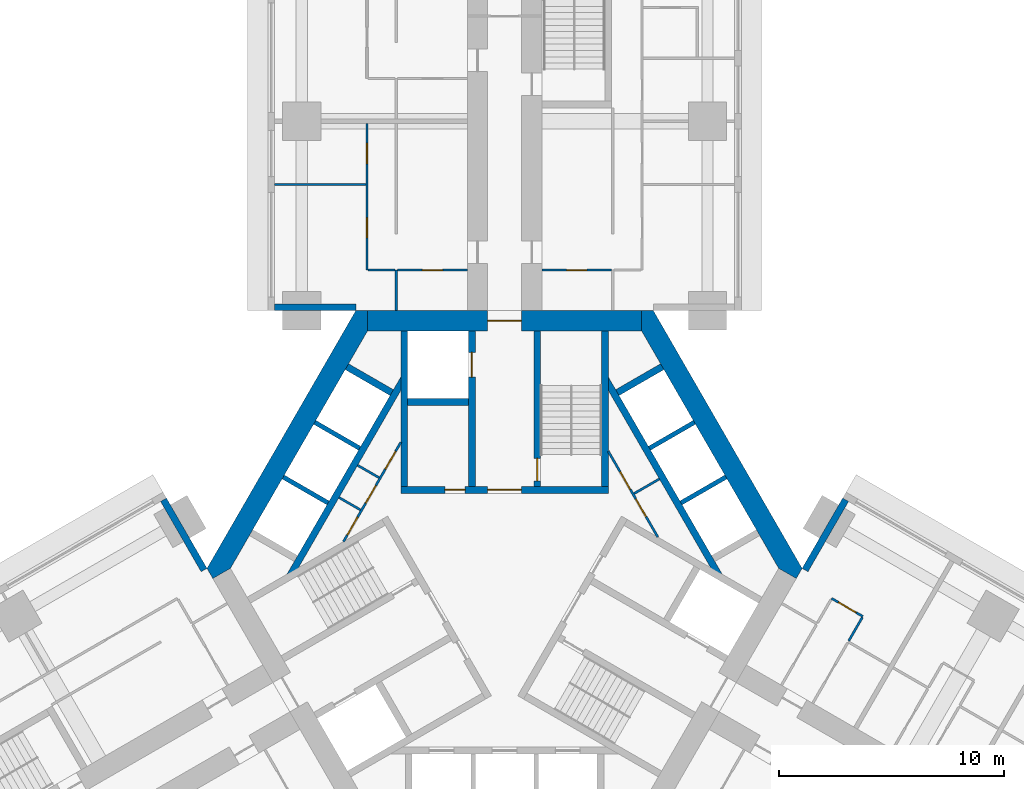
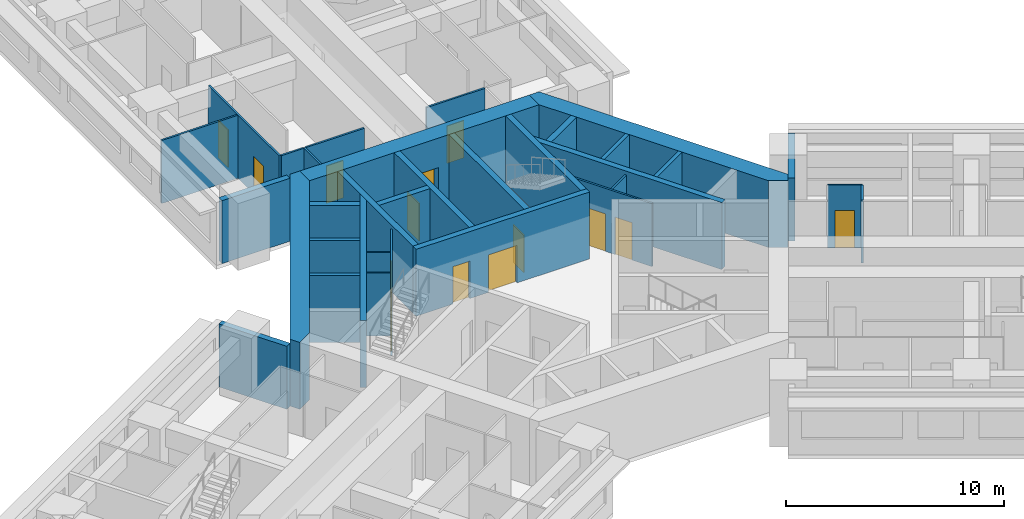
# One storey, part 8 of 16: 33 walls, 15 doors, 15 openings.
"""IFC4 building model written with IfcOpenShell, lengths in metres."""

from ifc_helpers import new_model, si_unit, direction, frame, frame_2d, origin, place, context, subcontext, project, spatial, polyline, rectangle, outline, extrude, material, layer, layer_set, type_object, element, fill, save


model = new_model("IFC4")

# Units and contexts
model_context = context("Model", 3, precision=1e-05, world=origin(), true_north=direction((0.0, 1.0)))
body_context = subcontext(model_context, "Body", "Model", "MODEL_VIEW")
ifc_project = project(units=[si_unit("LENGTHUNIT", "METRE"), si_unit("AREAUNIT", "SQUARE_METRE"), si_unit("VOLUMEUNIT", "CUBIC_METRE"), si_unit("PLANEANGLEUNIT", "RADIAN"), si_unit("MASSUNIT", "GRAM", prefix="KILO")], contexts=[model_context])

# Site, building, storey
site_placement = place(None, origin())
site = spatial("IfcSite", under=ifc_project, at=site_placement, CompositionType="ELEMENT")
building_placement = place(site_placement, origin())
building = spatial("IfcBuilding", under=site, at=building_placement, Name="Impinga Residences", CompositionType="ELEMENT")
storey_placement = place(building_placement, frame((0.0, 0.0, 41.0)))
storey = spatial("IfcBuildingStorey", under=building, at=storey_placement, Name="L09", CompositionType="ELEMENT", Elevation=41.0)

# Wall, openings, doors
ifc_material_1 = material(Name="Concrete blockwork", Category="masonry")
ifc_layer_1 = layer(ifc_material_1, 0.10009765625)
ifc_layer_set_1 = layer_set([ifc_layer_1], Name="CP1 core room partition, blockwork 100")
wall_type_1 = type_object("IfcWallType", Name="CP1 core room partition, blockwork 100", PredefinedType="PARTITIONING", material=ifc_layer_set_1)
wall_1_placement = place(storey_placement, frame((4.60009765625, 5.195556640625, 0.0), z_axis=(0.0, 0.0, 1.0), x_axis=(0.500001098885, -0.866024769342, 0.0)))
wall_1 = element("IfcWall", 1, at=wall_1_placement, inside=storey, type_object=wall_type_1, Name="Core room partition, blockwork L09:CORE:mid:FP", PredefinedType="PARTITIONING", context=body_context, shape_type="SweptSolid", body=[
    extrude(rectangle(XDim=4.39892578125, YDim=0.10009765625, at=frame_2d((2.199462890625, 0.0))), origin(), (0.0, 0.0, 1.0), 3.530029296875),
])
opening_1_placement = place(wall_1_placement, frame((1.049560546875, 0.0, 0.0)))
opening_1 = element("IfcOpeningElement", 2, at=opening_1_placement, cuts=wall_1, Name="Opening D6", PredefinedType="OPENING", context=body_context, shape_type="SweptSolid", body=[
    extrude(rectangle(XDim=0.89990234375, YDim=2.10009765625, at=frame_2d((0.449951171875, 1.050048828125))), frame((0.0, 0.06005859375, 0.0), z_axis=(0.0, -1.0, 0.0), x_axis=(1.0, 0.0, 0.0)), (0.0, 0.0, 1.0), 0.1201171875),
])
opening_2_placement = place(wall_1_placement, frame((2.449462890625, 0.0, 0.0)))
opening_2 = element("IfcOpeningElement", 3, at=opening_2_placement, cuts=wall_1, Name="Opening D6", PredefinedType="OPENING", context=body_context, shape_type="SweptSolid", body=[
    extrude(rectangle(XDim=0.89990234375, YDim=2.10009765625, at=frame_2d((0.449951171875, 1.050048828125))), frame((0.0, 0.06005859375, 0.0), z_axis=(0.0, -1.0, 0.0), x_axis=(1.0, 0.0, 0.0)), (0.0, 0.0, 1.0), 0.1201171875),
])
ifc_material_2 = material(Name="Timber door set", Category="wood")
door_type_1 = type_object("IfcDoorType", Name="D6 riser and store door 900x2100", OperationType="SINGLE_SWING_LEFT", PredefinedType="DOOR", material=ifc_material_2)
door_1_placement = place(opening_1_placement, origin())
door_1 = element("IfcDoor", 4, at=door_1_placement, inside=storey, type_object=door_type_1, Name="Cleaners' store door", OperationType="SINGLE_SWING_LEFT", OverallHeight=2.10009765625, OverallWidth=0.89990234375, PredefinedType="DOOR", context=body_context, shape_type="SweptSolid", body=[
    extrude(rectangle(XDim=0.89990234375, YDim=2.10009765625, at=frame_2d((0.449951171875, 1.050048828125))), frame((0.0, 0.02490234375, 0.0), z_axis=(0.0, -1.0, 0.0), x_axis=(1.0, 0.0, 0.0)), (0.0, 0.0, 1.0), 0.050048828125),
])
fill(opening_1, door_1)
door_2_placement = place(opening_2_placement, origin())
door_2 = element("IfcDoor", 5, at=door_2_placement, inside=storey, type_object=door_type_1, Name="Parcel store door", OperationType="SINGLE_SWING_RIGHT", OverallHeight=2.10009765625, OverallWidth=0.89990234375, PredefinedType="DOOR", context=body_context, shape_type="SweptSolid", body=[
    extrude(rectangle(XDim=0.89990234375, YDim=2.10009765625, at=frame_2d((0.449951171875, 1.050048828125))), frame((0.0, 0.02490234375, 0.0), z_axis=(0.0, -1.0, 0.0), x_axis=(1.0, 0.0, 0.0)), (0.0, 0.0, 1.0), 0.050048828125),
])
fill(opening_2, door_2)

# Wall
wall_2_placement = place(storey_placement, frame((5.7431640625, 3.315673828125, 0.0), z_axis=(0.0, 0.0, 1.0), x_axis=(0.86595725628, 0.500118016368, 0.0)))
element("IfcWall", 6, at=wall_2_placement, inside=storey, type_object=wall_type_1, Name="Core room partition, blockwork L09:CORE:mid:FS", PredefinedType="PARTITIONING", context=body_context, shape_type="SweptSolid", body=[
    extrude(rectangle(XDim=1.300048828125, YDim=0.10009765625, at=frame_2d((0.64990234375, 0.0))), origin(), (0.0, 0.0, 1.0), 3.530029296875),
])

# Wall, openings, doors
wall_3_placement = place(storey_placement, frame((-7.14599609375, 1.185791015625, 0.0), z_axis=(0.0, 0.0, 1.0), x_axis=(0.499975622669, 0.866039477586, 0.0)))
wall_3 = element("IfcWall", 7, at=wall_3_placement, inside=storey, type_object=wall_type_1, Name="Core room partition, blockwork L09:CORE:high:FP", PredefinedType="PARTITIONING", context=body_context, shape_type="SweptSolid", body=[
    extrude(rectangle(XDim=5.092041015625, YDim=0.10009765625, at=frame_2d((2.5458984375, 0.0))), origin(), (0.0, 0.0, 1.0), 3.530029296875),
])
opening_3_placement = place(wall_3_placement, frame((0.347900390625, 0.0, 0.0)))
opening_3 = element("IfcOpeningElement", 8, at=opening_3_placement, cuts=wall_3, Name="Opening D6", PredefinedType="OPENING", context=body_context, shape_type="SweptSolid", body=[
    extrude(rectangle(XDim=0.89990234375, YDim=2.10009765625, at=frame_2d((0.449951171875, 1.050048828125))), frame((0.0, 0.06005859375, 0.0), z_axis=(0.0, -1.0, 0.0), x_axis=(1.0, 0.0, 0.0)), (0.0, 0.0, 1.0), 0.1201171875),
])
opening_4_placement = place(wall_3_placement, frame((1.970947265625, 0.0, 0.0)))
opening_4 = element("IfcOpeningElement", 9, at=opening_4_placement, cuts=wall_3, Name="Opening D6", PredefinedType="OPENING", context=body_context, shape_type="SweptSolid", body=[
    extrude(rectangle(XDim=0.89990234375, YDim=2.10009765625, at=frame_2d((0.449951171875, 1.050048828125))), frame((0.0, 0.06005859375, 0.0), z_axis=(0.0, -1.0, 0.0), x_axis=(1.0, 0.0, 0.0)), (0.0, 0.0, 1.0), 0.1201171875),
])
opening_5_placement = place(wall_3_placement, frame((3.718994140625, 0.0, 0.0)))
opening_5 = element("IfcOpeningElement", 10, at=opening_5_placement, cuts=wall_3, Name="Opening D6", PredefinedType="OPENING", context=body_context, shape_type="SweptSolid", body=[
    extrude(rectangle(XDim=0.89990234375, YDim=2.10009765625, at=frame_2d((0.449951171875, 1.050048828125))), frame((0.0, 0.06005859375, 0.0), z_axis=(0.0, -1.0, 0.0), x_axis=(1.0, 0.0, 0.0)), (0.0, 0.0, 1.0), 0.1201171875),
])
door_3_placement = place(opening_3_placement, origin())
door_3 = element("IfcDoor", 11, at=door_3_placement, inside=storey, type_object=door_type_1, Name="Riser cupboard door", OperationType="SINGLE_SWING_LEFT", OverallHeight=2.10009765625, OverallWidth=0.89990234375, PredefinedType="DOOR", context=body_context, shape_type="SweptSolid", body=[
    extrude(rectangle(XDim=0.89990234375, YDim=2.10009765625, at=frame_2d((0.449951171875, 1.050048828125))), frame((0.0, 0.02490234375, 0.0), z_axis=(0.0, -1.0, 0.0), x_axis=(1.0, 0.0, 0.0)), (0.0, 0.0, 1.0), 0.050048828125),
])
fill(opening_3, door_3)
door_4_placement = place(opening_4_placement, origin())
door_4 = element("IfcDoor", 12, at=door_4_placement, inside=storey, type_object=door_type_1, Name="Linen store door", OperationType="SINGLE_SWING_LEFT", OverallHeight=2.10009765625, OverallWidth=0.89990234375, PredefinedType="DOOR", context=body_context, shape_type="SweptSolid", body=[
    extrude(rectangle(XDim=0.89990234375, YDim=2.10009765625, at=frame_2d((0.449951171875, 1.050048828125))), frame((0.0, 0.02490234375, 0.0), z_axis=(0.0, -1.0, 0.0), x_axis=(1.0, 0.0, 0.0)), (0.0, 0.0, 1.0), 0.050048828125),
])
fill(opening_4, door_4)
door_5_placement = place(opening_5_placement, origin())
door_5 = element("IfcDoor", 13, at=door_5_placement, inside=storey, type_object=door_type_1, Name="Bulky waste store door", OperationType="SINGLE_SWING_RIGHT", OverallHeight=2.10009765625, OverallWidth=0.89990234375, PredefinedType="DOOR", context=body_context, shape_type="SweptSolid", body=[
    extrude(rectangle(XDim=0.89990234375, YDim=2.10009765625, at=frame_2d((0.449951171875, 1.050048828125))), frame((0.0, 0.02490234375, 0.0), z_axis=(0.0, -1.0, 0.0), x_axis=(1.0, 0.0, 0.0)), (0.0, 0.0, 1.0), 0.050048828125),
])
fill(opening_5, door_5)

# Walls
for number, where, z_axis, x_axis, name in (
    (14, (-6.391357421875, 2.593017578125, 0.0), (0.0, 0.0, 1.0), (-0.866008176907, 0.50002983664, 0.0), "Core room partition, blockwork L09:CORE:high:FS1"),
    (15, (-5.566162109375, 4.02197265625, 0.0), (0.0, 0.0, 1.0), (-0.866008176907, 0.50002983664, 0.0), "Core room partition, blockwork L09:CORE:high:FS2"),
):
    element("IfcWall", number, at=place(storey_placement, frame(where, z_axis=z_axis, x_axis=x_axis)), inside=storey, type_object=wall_type_1, Name=name, PredefinedType="PARTITIONING", context=body_context, shape_type="SweptSolid", body=[
        extrude(rectangle(XDim=1.10009765625, YDim=0.10009765625, at=frame_2d((0.550048828125, 0.0))), origin(), (0.0, 0.0, 1.0), 3.530029296875),
    ])
ifc_material_3 = material(Name="Terracotta rainscreen on blockwork", Category="masonry")
ifc_layer_2 = layer(ifc_material_3, 0.300048828125)
ifc_layer_set_2 = layer_set([ifc_layer_2], Name="EW1 external wall, terracotta rainscreen on blockwork 300")
wall_type_2 = type_object("IfcWallType", Name="EW1 external wall, terracotta rainscreen on blockwork 300", PredefinedType="SOLIDWALL", material=ifc_layer_set_2)
wall_4_placement = place(storey_placement, frame((-15.1298828125, 3.042724609375, 0.0), z_axis=(0.0, 0.0, 1.0), x_axis=(0.500012057535, -0.866018442252, 0.0)))
element("IfcWall", 16, at=wall_4_placement, inside=storey, type_object=wall_type_2, Name="External wall EW1 L09", PredefinedType="SOLIDWALL", context=body_context, shape_type="SweptSolid", body=[
    extrude(rectangle(XDim=3.60009765625, YDim=0.300048828125, at=frame_2d((1.800048828125, 0.0))), origin(), (0.0, 0.0, 1.0), 3.530029296875),
])
wall_5_placement = place(storey_placement, frame((-6.60009765625, 11.58154296875, 0.0), z_axis=(0.0, 0.0, 1.0), x_axis=(-1.0, 0.0, 0.0)))
element("IfcWall", 17, at=wall_5_placement, inside=storey, type_object=wall_type_2, Name="External wall EW1 L09", PredefinedType="SOLIDWALL", context=body_context, shape_type="SweptSolid", body=[
    extrude(rectangle(XDim=3.599853515625, YDim=0.300048828125, at=frame_2d((1.7998046875, 0.0))), origin(), (0.0, 0.0, 1.0), 3.530029296875),
])
wall_6_placement = place(storey_placement, frame((13.329833984375, -0.074951171875, 0.0), z_axis=(0.0, 0.0, 1.0), x_axis=(0.500012057535, 0.866018442252, 0.0)))
element("IfcWall", 18, at=wall_6_placement, inside=storey, type_object=wall_type_2, Name="External wall EW1 L09", PredefinedType="SOLIDWALL", context=body_context, shape_type="SweptSolid", body=[
    extrude(rectangle(XDim=3.60009765625, YDim=0.300048828125, at=frame_2d((1.800048828125, 0.0))), origin(), (0.0, 0.0, 1.0), 3.530029296875),
])
ifc_material_4 = material(Name="Gypsum board on steel studs", Category="steel")
ifc_layer_3 = layer(ifc_material_4, 0.10009765625)
ifc_layer_set_3 = layer_set([ifc_layer_3], Name="Gypsum board on steel studs")
wall_type_3 = type_object("IfcWallType", Name="IP1 partition 100", PredefinedType="PARTITIONING", material=ifc_layer_set_3)
wall_7_placement = place(storey_placement, frame((-4.800048828125, 11.431640625, 0.0), z_axis=(0.0, 0.0, 1.0), x_axis=(0.0, 1.0, 0.0)))
element("IfcWall", 19, at=wall_7_placement, inside=storey, type_object=wall_type_3, Name="Partition L09-NA1:DIV0", PredefinedType="PARTITIONING", context=body_context, shape_type="SweptSolid", body=[
    extrude(rectangle(XDim=1.7998046875, YDim=0.10009765625, at=frame_2d((0.89990234375, 0.0))), origin(), (0.0, 0.0, 1.0), 3.530029296875),
])

# Wall, openings, doors
wall_8_placement = place(storey_placement, frame((-6.10009765625, 13.2314453125, 0.0), z_axis=(0.0, 0.0, 1.0), x_axis=(0.0, 1.0, 0.0)))
wall_8 = element("IfcWall", 20, at=wall_8_placement, inside=storey, type_object=wall_type_3, Name="Partition L09-NA1:STRIP", PredefinedType="PARTITIONING", context=body_context, shape_type="SweptSolid", body=[
    extrude(rectangle(XDim=6.5, YDim=0.10009765625, at=frame_2d((3.25, 0.0))), origin(), (0.0, 0.0, 1.0), 3.530029296875),
])
opening_6_placement = place(wall_8_placement, frame((1.425048828125, 0.0, 0.0)))
opening_6 = element("IfcOpeningElement", 21, at=opening_6_placement, cuts=wall_8, Name="Opening D2", PredefinedType="OPENING", context=body_context, shape_type="SweptSolid", body=[
    extrude(rectangle(XDim=0.89990234375, YDim=2.10009765625, at=frame_2d((0.449951171875, 1.050048828125))), frame((0.0, 0.06005859375, 0.0), z_axis=(0.0, -1.0, 0.0), x_axis=(1.0, 0.0, 0.0)), (0.0, 0.0, 1.0), 0.1201171875),
])
opening_7_placement = place(wall_8_placement, frame((4.72509765625, 0.0, 0.0)))
opening_7 = element("IfcOpeningElement", 22, at=opening_7_placement, cuts=wall_8, Name="Opening D2", PredefinedType="OPENING", context=body_context, shape_type="SweptSolid", body=[
    extrude(rectangle(XDim=0.89990234375, YDim=2.10009765625, at=frame_2d((0.449951171875, 1.050048828125))), frame((0.0, 0.06005859375, 0.0), z_axis=(0.0, -1.0, 0.0), x_axis=(1.0, 0.0, 0.0)), (0.0, 0.0, 1.0), 0.1201171875),
])
door_type_2 = type_object("IfcDoorType", Name="D2 internal door 900x2100", OperationType="SINGLE_SWING_LEFT", PredefinedType="DOOR", material=ifc_material_2)
door_6_placement = place(opening_6_placement, origin())
door_6 = element("IfcDoor", 23, at=door_6_placement, inside=storey, type_object=door_type_2, Name="Apartment L09-NA1 room door", OperationType="SINGLE_SWING_LEFT", OverallHeight=2.10009765625, OverallWidth=0.89990234375, PredefinedType="DOOR", context=body_context, shape_type="SweptSolid", body=[
    extrude(rectangle(XDim=0.89990234375, YDim=2.10009765625, at=frame_2d((0.449951171875, 1.050048828125))), frame((0.0, 0.02490234375, 0.0), z_axis=(0.0, -1.0, 0.0), x_axis=(1.0, 0.0, 0.0)), (0.0, 0.0, 1.0), 0.050048828125),
])
fill(opening_6, door_6)
door_7_placement = place(opening_7_placement, origin())
door_7 = element("IfcDoor", 24, at=door_7_placement, inside=storey, type_object=door_type_2, Name="Apartment L09-NA1 room door", OperationType="SINGLE_SWING_RIGHT", OverallHeight=2.10009765625, OverallWidth=0.89990234375, PredefinedType="DOOR", context=body_context, shape_type="SweptSolid", body=[
    extrude(rectangle(XDim=0.89990234375, YDim=2.10009765625, at=frame_2d((0.449951171875, 1.050048828125))), frame((0.0, 0.02490234375, 0.0), z_axis=(0.0, -1.0, 0.0), x_axis=(1.0, 0.0, 0.0)), (0.0, 0.0, 1.0), 0.050048828125),
])
fill(opening_7, door_7)

# Wall
wall_9_placement = place(storey_placement, frame((-4.85009765625, 13.2314453125, 0.0), z_axis=(0.0, 0.0, 1.0), x_axis=(-1.0, 0.0, 0.0)))
element("IfcWall", 25, at=wall_9_placement, inside=storey, type_object=wall_type_3, Name="Partition L09-NA1:SE0", PredefinedType="PARTITIONING", context=body_context, shape_type="SweptSolid", body=[
    extrude(rectangle(XDim=1.199951171875, YDim=0.10009765625, at=frame_2d((0.60009765625, 0.0))), origin(), (0.0, 0.0, 1.0), 3.530029296875),
])

# Wall, opening, door
wall_10_placement = place(storey_placement, frame((-1.64990234375, 13.2314453125, 0.0), z_axis=(0.0, 0.0, 1.0), x_axis=(-1.0, 0.0, 0.0)))
wall_10 = element("IfcWall", 26, at=wall_10_placement, inside=storey, type_object=wall_type_3, Name="Partition L09-NA1:IB1", PredefinedType="PARTITIONING", context=body_context, shape_type="SweptSolid", body=[
    extrude(rectangle(XDim=3.10009765625, YDim=0.10009765625, at=frame_2d((1.550048828125, 0.0))), origin(), (0.0, 0.0, 1.0), 3.530029296875),
])
opening_8_placement = place(wall_10_placement, frame((1.10009765625, 0.0, 0.0)))
opening_8 = element("IfcOpeningElement", 27, at=opening_8_placement, cuts=wall_10, Name="Opening D2", PredefinedType="OPENING", context=body_context, shape_type="SweptSolid", body=[
    extrude(rectangle(XDim=0.89990234375, YDim=2.10009765625, at=frame_2d((0.449951171875, 1.050048828125))), frame((0.0, 0.06005859375, 0.0), z_axis=(0.0, -1.0, 0.0), x_axis=(1.0, 0.0, 0.0)), (0.0, 0.0, 1.0), 0.1201171875),
])
door_8_placement = place(opening_8_placement, origin())
door_8 = element("IfcDoor", 28, at=door_8_placement, inside=storey, type_object=door_type_2, Name="Apartment L09-NA1 bathroom door", OperationType="SINGLE_SWING_LEFT", OverallHeight=2.10009765625, OverallWidth=0.89990234375, PredefinedType="DOOR", context=body_context, shape_type="SweptSolid", body=[
    extrude(rectangle(XDim=0.89990234375, YDim=2.10009765625, at=frame_2d((0.449951171875, 1.050048828125))), frame((0.0, 0.02490234375, 0.0), z_axis=(0.0, -1.0, 0.0), x_axis=(1.0, 0.0, 0.0)), (0.0, 0.0, 1.0), 0.050048828125),
])
fill(opening_8, door_8)

# Wall
wall_11_placement = place(storey_placement, frame((-6.14990234375, 17.031494140625, 0.0), z_axis=(0.0, 0.0, 1.0), x_axis=(-1.0, 0.0, 0.0)))
element("IfcWall", 29, at=wall_11_placement, inside=storey, type_object=wall_type_3, Name="Partition L09-NA1:OB1", PredefinedType="PARTITIONING", context=body_context, shape_type="SweptSolid", body=[
    extrude(rectangle(XDim=4.050048828125, YDim=0.10009765625, at=frame_2d((2.02490234375, 0.0))), origin(), (0.0, 0.0, 1.0), 3.530029296875),
])

# Wall, opening, door
wall_12_placement = place(storey_placement, frame((1.64990234375, 13.2314453125, 0.0), z_axis=(0.0, 0.0, 1.0), x_axis=(1.0, 0.0, 0.0)))
wall_12 = element("IfcWall", 30, at=wall_12_placement, inside=storey, type_object=wall_type_3, Name="Partition L09-NF1:IB1", PredefinedType="PARTITIONING", context=body_context, shape_type="SweptSolid", body=[
    extrude(rectangle(XDim=3.10009765625, YDim=0.10009765625, at=frame_2d((1.550048828125, 0.0))), origin(), (0.0, 0.0, 1.0), 3.530029296875),
])
opening_9_placement = place(wall_12_placement, frame((1.10009765625, 0.0, 0.0)))
opening_9 = element("IfcOpeningElement", 31, at=opening_9_placement, cuts=wall_12, Name="Opening D2", PredefinedType="OPENING", context=body_context, shape_type="SweptSolid", body=[
    extrude(rectangle(XDim=0.89990234375, YDim=2.10009765625, at=frame_2d((0.449951171875, 1.050048828125))), frame((0.0, 0.06005859375, 0.0), z_axis=(0.0, -1.0, 0.0), x_axis=(1.0, 0.0, 0.0)), (0.0, 0.0, 1.0), 0.1201171875),
])
door_9_placement = place(opening_9_placement, origin())
door_9 = element("IfcDoor", 32, at=door_9_placement, inside=storey, type_object=door_type_2, Name="Apartment L09-NF1 bathroom door", OperationType="SINGLE_SWING_LEFT", OverallHeight=2.10009765625, OverallWidth=0.89990234375, PredefinedType="DOOR", context=body_context, shape_type="SweptSolid", body=[
    extrude(rectangle(XDim=0.89990234375, YDim=2.10009765625, at=frame_2d((0.449951171875, 1.050048828125))), frame((0.0, 0.02490234375, 0.0), z_axis=(0.0, -1.0, 0.0), x_axis=(1.0, 0.0, 0.0)), (0.0, 0.0, 1.0), 0.050048828125),
])
fill(opening_9, door_9)

wall_13_placement = place(storey_placement, frame((14.5087890625, -1.3330078125, 0.0), z_axis=(0.0, 0.0, 1.0), x_axis=(0.866028054938, -0.499995408039, 0.0)))
wall_13 = element("IfcWall", 33, at=wall_13_placement, inside=storey, type_object=wall_type_3, Name="Partition L09-EA1:STRIP", PredefinedType="PARTITIONING", context=body_context, shape_type="SweptSolid", body=[
    extrude(rectangle(XDim=1.60009765625, YDim=0.10009765625, at=frame_2d((0.800048828125, 0.0))), origin(), (0.0, 0.0, 1.0), 3.530029296875),
])
opening_10_placement = place(wall_13_placement, frame((0.35009765625, 0.0, 0.0)))
opening_10 = element("IfcOpeningElement", 34, at=opening_10_placement, cuts=wall_13, Name="Opening D2", PredefinedType="OPENING", context=body_context, shape_type="SweptSolid", body=[
    extrude(rectangle(XDim=0.89990234375, YDim=2.10009765625, at=frame_2d((0.449951171875, 1.050048828125))), frame((0.0, 0.06005859375, 0.0), z_axis=(0.0, -1.0, 0.0), x_axis=(1.0, 0.0, 0.0)), (0.0, 0.0, 1.0), 0.1201171875),
])
door_10_placement = place(opening_10_placement, origin())
door_10 = element("IfcDoor", 35, at=door_10_placement, inside=storey, type_object=door_type_2, Name="Apartment L09-EA1 room door", OperationType="SINGLE_SWING_LEFT", OverallHeight=2.10009765625, OverallWidth=0.89990234375, PredefinedType="DOOR", context=body_context, shape_type="SweptSolid", body=[
    extrude(rectangle(XDim=0.89990234375, YDim=2.10009765625, at=frame_2d((0.449951171875, 1.050048828125))), frame((0.0, 0.02490234375, 0.0), z_axis=(0.0, -1.0, 0.0), x_axis=(1.0, 0.0, 0.0)), (0.0, 0.0, 1.0), 0.050048828125),
])
fill(opening_10, door_10)

# Wall
wall_14_placement = place(storey_placement, frame((15.26953125, -3.215576171875, 0.0), z_axis=(0.0, 0.0, 1.0), x_axis=(0.499880961361, 0.866094119867, 0.0)))
element("IfcWall", 36, at=wall_14_placement, inside=storey, type_object=wall_type_3, Name="Partition L09-EA1:SE1", PredefinedType="PARTITIONING", context=body_context, shape_type="SweptSolid", body=[
    extrude(rectangle(XDim=1.199951171875, YDim=0.10009765625, at=frame_2d((0.60009765625, 0.0))), origin(), (0.0, 0.0, 1.0), 3.530029296875),
])

# Wall, opening, door
ifc_material_5 = material(Name="Concrete C70/85", Category="concrete")
ifc_layer_4 = layer(ifc_material_5, 0.89990234375)
ifc_layer_set_4 = layer_set([ifc_layer_4], Name="Concrete C70/85")
wall_type_4 = type_object("IfcWallType", Name="SW1 core wall 900", PredefinedType="SHEAR", material=ifc_layer_set_4)
wall_15_placement = place(storey_placement, frame((-6.080322265625, 10.9814453125, 0.0), z_axis=(0.0, 0.0, 1.0), x_axis=(1.0, 0.0, 0.0)))
wall_15 = element("IfcWall", 37, at=wall_15_placement, inside=storey, type_object=wall_type_4, Name="Core wall SW1 N:FACE L09", PredefinedType="SHEAR", context=body_context, shape_type="SweptSolid", body=[
    extrude(rectangle(XDim=12.16064453125, YDim=0.89990234375, at=frame_2d((6.080322265625, 0.0))), origin(), (0.0, 0.0, 1.0), 3.75),
])
opening_11_placement = place(wall_15_placement, frame((5.330322265625, 0.0, 0.0)))
opening_11 = element("IfcOpeningElement", 38, at=opening_11_placement, cuts=wall_15, Name="Opening D4", PredefinedType="OPENING", context=body_context, shape_type="SweptSolid", body=[
    extrude(rectangle(XDim=1.5, YDim=2.10009765625, at=frame_2d((0.75, 1.050048828125))), frame((0.0, 0.4599609375, 0.0), z_axis=(0.0, -1.0, 0.0), x_axis=(1.0, 0.0, 0.0)), (0.0, 0.0, 1.0), 0.919921875),
])
door_type_3 = type_object("IfcDoorType", Name="D4 lobby door pair 1500x2100", OperationType="DOUBLE_DOOR_DOUBLE_SWING", PredefinedType="DOOR", material=ifc_material_2)
door_11_placement = place(opening_11_placement, origin())
door_11 = element("IfcDoor", 39, at=door_11_placement, inside=storey, type_object=door_type_3, Name="Lobby door N", OperationType="DOUBLE_DOOR_DOUBLE_SWING", OverallHeight=2.10009765625, OverallWidth=1.5, PredefinedType="DOOR", context=body_context, shape_type="SweptSolid", body=[
    extrude(rectangle(XDim=1.5, YDim=2.10009765625, at=frame_2d((0.75, 1.050048828125))), frame((0.0, 0.02490234375, 0.0), z_axis=(0.0, -1.0, 0.0), x_axis=(1.0, 0.0, 0.0)), (0.0, 0.0, 1.0), 0.050048828125),
])
fill(opening_11, door_11)

# Walls
wall_16_placement = place(storey_placement, origin())
element("IfcWall", 40, at=wall_16_placement, inside=storey, type_object=wall_type_4, Name="Core wall SW1 W:EXPOSED L09", PredefinedType="SHEAR", context=body_context, shape_type="SweptSolid", body=[
    extrude(outline(polyline([(13.199951171875, 0.0), (6.60009765625, 11.431640625), (6.080322265625, 11.431640625), (6.080322265625, 10.531494140625), (12.160888671875, 0.0), (12.940185546875, -0.449951171875), (13.199951171875, 0.0)])), origin(), (0.0, 0.0, 1.0), 3.75),
])
wall_17_placement = place(storey_placement, origin())
element("IfcWall", 41, at=wall_17_placement, inside=storey, type_object=wall_type_4, Name="Core wall SW1 E:EXPOSED L09", PredefinedType="SHEAR", context=body_context, shape_type="SweptSolid", body=[
    extrude(outline(polyline([(-6.60009765625, 11.431640625), (-13.199951171875, 0.0), (-12.940185546875, -0.449951171875), (-12.160888671875, 0.0), (-6.080322265625, 10.531494140625), (-6.080322265625, 11.431640625), (-6.60009765625, 11.431640625)])), origin(), (0.0, 0.0, 1.0), 3.75),
])

# Wall, openings, doors
ifc_layer_5 = layer(ifc_material_5, 0.300048828125)
ifc_layer_set_5 = layer_set([ifc_layer_5], Name="Concrete C70/85")
wall_type_5 = type_object("IfcWallType", Name="SW5 core inner wall, stairs, shafts and lobbies 300", PredefinedType="SHEAR", material=ifc_layer_set_5)
wall_18_placement = place(storey_placement, frame((-4.60009765625, 3.47998046875, 0.0), z_axis=(0.0, 0.0, 1.0), x_axis=(1.0, 0.0, 0.0)))
wall_18 = element("IfcWall", 42, at=wall_18_placement, inside=storey, type_object=wall_type_5, Name="Core wall SW5 N:ZONE L09", PredefinedType="SHEAR", context=body_context, shape_type="SweptSolid", body=[
    extrude(rectangle(XDim=9.2001953125, YDim=0.300048828125, at=frame_2d((4.60009765625, 0.0))), origin(), (0.0, 0.0, 1.0), 3.75),
])
opening_12_placement = place(wall_18_placement, frame((3.85009765625, 0.0, 0.0)))
opening_12 = element("IfcOpeningElement", 43, at=opening_12_placement, cuts=wall_18, Name="Opening D4", PredefinedType="OPENING", context=body_context, shape_type="SweptSolid", body=[
    extrude(rectangle(XDim=1.5, YDim=2.10009765625, at=frame_2d((0.75, 1.050048828125))), frame((0.0, 0.159912109375, 0.0), z_axis=(0.0, -1.0, 0.0), x_axis=(1.0, 0.0, 0.0)), (0.0, 0.0, 1.0), 0.320068359375),
])
opening_13_placement = place(wall_18_placement, frame((1.949951171875, 0.0, 0.0)))
opening_13 = element("IfcOpeningElement", 44, at=opening_13_placement, cuts=wall_18, Name="Opening D6", PredefinedType="OPENING", context=body_context, shape_type="SweptSolid", body=[
    extrude(rectangle(XDim=0.89990234375, YDim=2.10009765625, at=frame_2d((0.449951171875, 1.050048828125))), frame((0.0, 0.159912109375, 0.0), z_axis=(0.0, -1.0, 0.0), x_axis=(1.0, 0.0, 0.0)), (0.0, 0.0, 1.0), 0.320068359375),
])
door_12_placement = place(opening_12_placement, origin())
door_12 = element("IfcDoor", 45, at=door_12_placement, inside=storey, type_object=door_type_3, Name="Firefighting lobby door N", OperationType="DOUBLE_DOOR_DOUBLE_SWING", OverallHeight=2.10009765625, OverallWidth=1.5, PredefinedType="DOOR", context=body_context, shape_type="SweptSolid", body=[
    extrude(rectangle(XDim=1.5, YDim=2.10009765625, at=frame_2d((0.75, 1.050048828125))), frame((0.0, 0.02490234375, 0.0), z_axis=(0.0, -1.0, 0.0), x_axis=(1.0, 0.0, 0.0)), (0.0, 0.0, 1.0), 0.050048828125),
])
fill(opening_12, door_12)
door_13_placement = place(opening_13_placement, origin())
door_13 = element("IfcDoor", 46, at=door_13_placement, inside=storey, type_object=door_type_1, Name="Riser door N", OperationType="SINGLE_SWING_LEFT", OverallHeight=2.10009765625, OverallWidth=0.89990234375, PredefinedType="DOOR", context=body_context, shape_type="SweptSolid", body=[
    extrude(rectangle(XDim=0.89990234375, YDim=2.10009765625, at=frame_2d((0.449951171875, 1.050048828125))), frame((0.0, 0.02490234375, 0.0), z_axis=(0.0, -1.0, 0.0), x_axis=(1.0, 0.0, 0.0)), (0.0, 0.0, 1.0), 0.050048828125),
])
fill(opening_13, door_13)

# Wall, opening, door
wall_19_placement = place(storey_placement, frame((1.449951171875, 3.6298828125, 0.0), z_axis=(0.0, 0.0, 1.0), x_axis=(0.0, 1.0, 0.0)))
wall_19 = element("IfcWall", 47, at=wall_19_placement, inside=storey, type_object=wall_type_5, Name="Core wall SW5 N:ST-IN L09", PredefinedType="SHEAR", context=body_context, shape_type="SweptSolid", body=[
    extrude(rectangle(XDim=6.901611328125, YDim=0.300048828125, at=frame_2d((3.45068359375, 0.0))), origin(), (0.0, 0.0, 1.0), 3.75),
])
opening_14_placement = place(wall_19_placement, frame((0.25, 0.0, 0.0)))
opening_14 = element("IfcOpeningElement", 48, at=opening_14_placement, cuts=wall_19, Name="Opening D5", PredefinedType="OPENING", context=body_context, shape_type="SweptSolid", body=[
    extrude(rectangle(XDim=1.0, YDim=2.10009765625, at=frame_2d((0.5, 1.050048828125))), frame((0.0, 0.159912109375, 0.0), z_axis=(0.0, -1.0, 0.0), x_axis=(1.0, 0.0, 0.0)), (0.0, 0.0, 1.0), 0.320068359375),
])
door_type_4 = type_object("IfcDoorType", Name="D5 stair door 1000x2100", OperationType="SINGLE_SWING_LEFT", PredefinedType="DOOR", material=ifc_material_2)
door_14_placement = place(opening_14_placement, origin())
door_14 = element("IfcDoor", 49, at=door_14_placement, inside=storey, type_object=door_type_4, Name="Stair door N", OperationType="SINGLE_SWING_LEFT", OverallHeight=2.10009765625, OverallWidth=1.0, PredefinedType="DOOR", context=body_context, shape_type="SweptSolid", body=[
    extrude(rectangle(XDim=1.0, YDim=2.10009765625, at=frame_2d((0.5, 1.050048828125))), frame((0.0, 0.02490234375, 0.0), z_axis=(0.0, -1.0, 0.0), x_axis=(1.0, 0.0, 0.0)), (0.0, 0.0, 1.0), 0.050048828125),
])
fill(opening_14, door_14)

# Wall
wall_20_placement = place(storey_placement, frame((4.449951171875, 3.6298828125, 0.0), z_axis=(0.0, 0.0, 1.0), x_axis=(0.0, 1.0, 0.0)))
element("IfcWall", 50, at=wall_20_placement, inside=storey, type_object=wall_type_5, Name="Core wall SW5 N:ST-OUT L09", PredefinedType="SHEAR", context=body_context, shape_type="SweptSolid", body=[
    extrude(rectangle(XDim=6.901611328125, YDim=0.300048828125, at=frame_2d((3.45068359375, 0.0))), origin(), (0.0, 0.0, 1.0), 3.75),
])

# Wall, opening, door
wall_21_placement = place(storey_placement, frame((-1.449951171875, 3.6298828125, 0.0), z_axis=(0.0, 0.0, 1.0), x_axis=(0.0, 1.0, 0.0)))
wall_21 = element("IfcWall", 51, at=wall_21_placement, inside=storey, type_object=wall_type_5, Name="Core wall SW5 N:FF-IN L09", PredefinedType="SHEAR", context=body_context, shape_type="SweptSolid", body=[
    extrude(rectangle(XDim=6.901611328125, YDim=0.300048828125, at=frame_2d((3.45068359375, 0.0))), origin(), (0.0, 0.0, 1.0), 3.75),
])
opening_15_placement = place(wall_21_placement, frame((4.85009765625, 0.0, 0.0)))
opening_15 = element("IfcOpeningElement", 52, at=opening_15_placement, cuts=wall_21, Name="Opening LD2", PredefinedType="OPENING", context=body_context, shape_type="SweptSolid", body=[
    extrude(rectangle(XDim=1.10009765625, YDim=2.10009765625, at=frame_2d((0.550048828125, 1.050048828125))), frame((0.0, 0.159912109375, 0.0), z_axis=(0.0, -1.0, 0.0), x_axis=(1.0, 0.0, 0.0)), (0.0, 0.0, 1.0), 0.320068359375),
])
ifc_material_6 = material(Name="Steel lift landing door", Category="steel")
door_type_5 = type_object("IfcDoorType", Name="LD2 firefighting lift landing door 1100x2100", OperationType="DOUBLE_DOOR_SLIDING", PredefinedType="DOOR", material=ifc_material_6)
door_15_placement = place(opening_15_placement, origin())
door_15 = element("IfcDoor", 53, at=door_15_placement, inside=storey, type_object=door_type_5, Name="Firefighting lift landing door F1", OperationType="DOUBLE_DOOR_SLIDING", OverallHeight=2.10009765625, OverallWidth=1.10009765625, PredefinedType="DOOR", context=body_context, shape_type="SweptSolid", body=[
    extrude(rectangle(XDim=1.10009765625, YDim=2.10009765625, at=frame_2d((0.550048828125, 1.050048828125))), frame((0.0, 0.02490234375, 0.0), z_axis=(0.0, -1.0, 0.0), x_axis=(1.0, 0.0, 0.0)), (0.0, 0.0, 1.0), 0.050048828125),
])
fill(opening_15, door_15)

# Walls
wall_22_placement = place(storey_placement, frame((-4.449951171875, 3.6298828125, 0.0), z_axis=(0.0, 0.0, 1.0), x_axis=(0.0, 1.0, 0.0)))
element("IfcWall", 54, at=wall_22_placement, inside=storey, type_object=wall_type_5, Name="Core wall SW5 N:FF-OUT L09", PredefinedType="SHEAR", context=body_context, shape_type="SweptSolid", body=[
    extrude(rectangle(XDim=6.901611328125, YDim=0.300048828125, at=frame_2d((3.45068359375, 0.0))), origin(), (0.0, 0.0, 1.0), 3.75),
])
wall_23_placement = place(storey_placement, frame((-4.300048828125, 7.3798828125, 0.0), z_axis=(0.0, 0.0, 1.0), x_axis=(1.0, 0.0, 0.0)))
element("IfcWall", 55, at=wall_23_placement, inside=storey, type_object=wall_type_5, Name="Core wall SW5 N:FF-RS L09", PredefinedType="SHEAR", context=body_context, shape_type="SweptSolid", body=[
    extrude(rectangle(XDim=2.699951171875, YDim=0.300048828125, at=frame_2d((1.35009765625, 0.0))), origin(), (0.0, 0.0, 1.0), 3.75),
])
wall_24_placement = place(storey_placement, frame((4.449951171875, 8.455322265625, 0.0), z_axis=(0.0, 0.0, 1.0), x_axis=(0.500002290144, -0.866024081565, 0.0)))
element("IfcWall", 56, at=wall_24_placement, inside=storey, type_object=wall_type_5, Name="Core wall SW5 W:BANK-FRONT L09", PredefinedType="SHEAR", context=body_context, shape_type="SweptSolid", body=[
    extrude(rectangle(XDim=10.1953125, YDim=0.300048828125, at=frame_2d((5.09765625, 0.0))), origin(), (0.0, 0.0, 1.0), 3.75),
])
wall_25_placement = place(storey_placement, frame((5.003662109375, 7.79638671875, 0.0), z_axis=(0.0, 0.0, 1.0), x_axis=(0.866053019151, 0.499952165731, 0.0)))
element("IfcWall", 57, at=wall_25_placement, inside=storey, type_object=wall_type_5, Name="Core wall SW5 W:BANK-L L09", PredefinedType="SHEAR", context=body_context, shape_type="SweptSolid", body=[
    extrude(rectangle(XDim=2.300048828125, YDim=0.300048828125, at=frame_2d((1.14990234375, 0.0))), origin(), (0.0, 0.0, 1.0), 3.75),
])
wall_26_placement = place(storey_placement, frame((-9.547607421875, -0.3740234375, 0.0), z_axis=(0.0, 0.0, 1.0), x_axis=(0.500002290144, 0.866024081565, 0.0)))
element("IfcWall", 58, at=wall_26_placement, inside=storey, type_object=wall_type_5, Name="Core wall SW5 E:BANK-FRONT L09", PredefinedType="SHEAR", context=body_context, shape_type="SweptSolid", body=[
    extrude(rectangle(XDim=10.1953125, YDim=0.300048828125, at=frame_2d((5.09765625, 0.0))), origin(), (0.0, 0.0, 1.0), 3.75),
])
wall_27_placement = place(storey_placement, frame((-5.003662109375, 7.79638671875, 0.0), z_axis=(0.0, 0.0, 1.0), x_axis=(-0.866053019151, 0.499952165731, 0.0)))
element("IfcWall", 59, at=wall_27_placement, inside=storey, type_object=wall_type_5, Name="Core wall SW5 E:BANK-R L09", PredefinedType="SHEAR", context=body_context, shape_type="SweptSolid", body=[
    extrude(rectangle(XDim=2.300048828125, YDim=0.300048828125, at=frame_2d((1.14990234375, 0.0))), origin(), (0.0, 0.0, 1.0), 3.75),
])
ifc_layer_6 = layer(ifc_material_5, 0.199951171875)
ifc_layer_set_6 = layer_set([ifc_layer_6], Name="Concrete C70/85")
wall_type_6 = type_object("IfcWallType", Name="SW6 lift shaft divider wall 200", PredefinedType="SHEAR", material=ifc_layer_set_6)
for number, where, z_axis, x_axis, name in (
    (60, (6.4287109375, 5.328125, 0.0), (0.0, 0.0, 1.0), (0.866007057882, 0.500031774688, 0.0), "Core wall SW6 W:BANK-D1 L09"),
    (61, (7.82861328125, 2.9033203125, 0.0), (0.0, 0.0, 1.0), (0.866053019151, 0.499952165731, 0.0), "Core wall SW6 W:BANK-D2 L09"),
    (62, (-7.82861328125, 2.9033203125, 0.0), (0.0, 0.0, 1.0), (-0.866053019151, 0.499952165731, 0.0), "Core wall SW6 E:BANK-D1 L09"),
    (63, (-6.4287109375, 5.328125, 0.0), (0.0, 0.0, 1.0), (-0.866007057882, 0.500031774688, 0.0), "Core wall SW6 E:BANK-D2 L09"),
):
    element("IfcWall", number, at=place(storey_placement, frame(where, z_axis=z_axis, x_axis=x_axis)), inside=storey, type_object=wall_type_6, Name=name, PredefinedType="SHEAR", context=body_context, shape_type="SweptSolid", body=[
        extrude(rectangle(XDim=2.300048828125, YDim=0.199951171875, at=frame_2d((1.14990234375, 0.0))), origin(), (0.0, 0.0, 1.0), 3.75),
    ])

save(model, "model.ifc")
